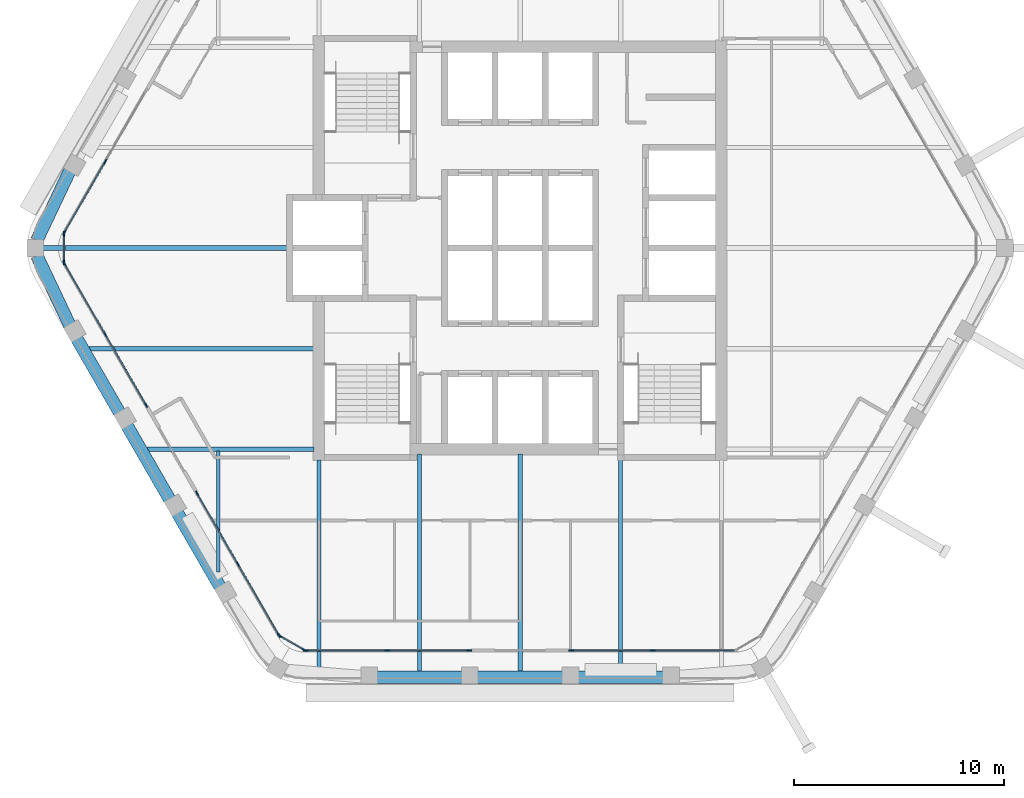
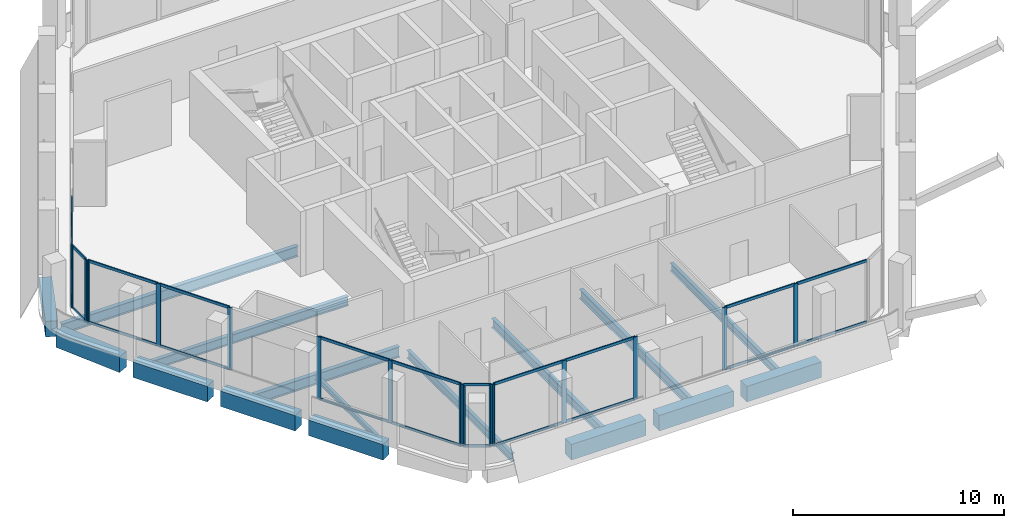
# One storey, part 2 of 14: 39 members, 16 beams, 7 elements without a shape of their own.
"""IFC4 building model written with IfcOpenShell, lengths in metres."""

from ifc_helpers import new_model, si_unit, direction, frame, origin, origin_2d, place, context, subcontext, project, spatial, rectangle, i_section, extrude, material, material_profile, profile_set, type_object, element, aggregate, save


model = new_model("IFC4")

# Units and contexts
model_context = context("Model", 3, precision=1e-05, world=origin(), true_north=direction((0.0, 1.0)))
body_context = subcontext(model_context, "Body", "Model", "MODEL_VIEW")
ifc_project = project(units=[si_unit("LENGTHUNIT", "METRE"), si_unit("AREAUNIT", "SQUARE_METRE"), si_unit("VOLUMEUNIT", "CUBIC_METRE"), si_unit("PLANEANGLEUNIT", "RADIAN"), si_unit("MASSUNIT", "GRAM", prefix="KILO")], contexts=[model_context])

# Site, building, storey
site_placement = place(None, origin())
site = spatial("IfcSite", under=ifc_project, at=site_placement, CompositionType="ELEMENT")
building_placement = place(site_placement, origin())
building = spatial("IfcBuilding", under=site, at=building_placement, Name="Kolab Exchange Tower", CompositionType="ELEMENT")
storey_placement = place(building_placement, frame((0.0, 0.0, 281.300048828125)))
storey = spatial("IfcBuildingStorey", under=building, at=storey_placement, Name="L63", CompositionType="ELEMENT", Elevation=281.300048828125)

# Beams
ifc_material_1 = material(Name="Steel S355", Category="steel")
ifc_material_profile_1 = material_profile(ifc_material_1, i_section(OverallWidth=0.1650390625, OverallDepth=0.31005859375, WebThickness=0.005859375, FlangeThickness=0.009765625, at=origin_2d()), Name="W310X39")
ifc_profile_set_1 = profile_set([ifc_material_profile_1], Name="Steel S355")
beam_type_1 = type_object("IfcBeamType", Name="FLOOR BEAM W310X39", PredefinedType="BEAM", material=ifc_profile_set_1)
beam_1_placement = place(storey_placement, frame((-14.39990234375, -15.4677734375, -0.304931640625), z_axis=(0.0, 1.0, 0.0), x_axis=(-1.0, 0.0, 0.0)))
element("IfcBeam", 1, at=beam_1_placement, inside=storey, type_object=beam_type_1, Name="beam/L63/fr/003", PredefinedType="BEAM", context=body_context, shape_type="SweptSolid", body=[
    extrude(i_section(OverallWidth=0.1650390625, OverallDepth=0.31005859375, WebThickness=0.005859375, FlangeThickness=0.009765625, at=origin_2d()), origin(), (0.0, 0.0, 1.0), 5.793701171875),
])
ifc_material_profile_2 = material_profile(ifc_material_1, i_section(OverallWidth=0.18994140625, OverallDepth=0.45703125, WebThickness=0.009033203125, FlangeThickness=0.014404296875, at=origin_2d()), Name="W460X74")
ifc_profile_set_2 = profile_set([ifc_material_profile_2], Name="Steel S355")
beam_type_2 = type_object("IfcBeamType", Name="FLOOR BEAM W460X74", PredefinedType="BEAM", material=ifc_profile_set_2)
beam_2_placement = place(storey_placement, frame((-9.60009765625, -20.027099609375, -0.378662109375), z_axis=(0.0, 1.0, 0.0), x_axis=(-1.0, 0.0, 0.0)))
element("IfcBeam", 2, at=beam_2_placement, inside=storey, type_object=beam_type_2, Name="beam/L63/fr/005", PredefinedType="BEAM", context=body_context, shape_type="SweptSolid", body=[
    extrude(i_section(OverallWidth=0.18994140625, OverallDepth=0.45703125, WebThickness=0.009033203125, FlangeThickness=0.014404296875, at=origin_2d()), origin(), (0.0, 0.0, 1.0), 9.9169921875),
])
beam_3_placement = place(storey_placement, frame((4.800048828125, -20.224609375, -0.378662109375), z_axis=(0.0, 1.0, 0.0), x_axis=(-1.0, 0.0, 0.0)))
element("IfcBeam", 3, at=beam_3_placement, inside=storey, type_object=beam_type_2, Name="beam/L63/fr/011", PredefinedType="BEAM", context=body_context, shape_type="SweptSolid", body=[
    extrude(i_section(OverallWidth=0.18994140625, OverallDepth=0.45703125, WebThickness=0.009033203125, FlangeThickness=0.014404296875, at=origin_2d()), origin(), (0.0, 0.0, 1.0), 10.114501953125),
])
ifc_material_profile_3 = material_profile(ifc_material_1, i_section(OverallWidth=0.208984375, OverallDepth=0.532958984375, WebThickness=0.01025390625, FlangeThickness=0.015625, at=origin_2d()), Name="W530X92")
ifc_profile_set_3 = profile_set([ifc_material_profile_3], Name="Steel S355")
beam_type_3 = type_object("IfcBeamType", Name="FLOOR BEAM W530X92", PredefinedType="BEAM", material=ifc_profile_set_3)
beam_4_placement = place(storey_placement, frame((-20.575927734375, -4.800048828125, -0.41650390625), z_axis=(1.0, 0.0, 0.0), x_axis=(0.0, 1.0, 0.0)))
element("IfcBeam", 4, at=beam_4_placement, inside=storey, type_object=beam_type_3, Name="beam/L63/fr/001", PredefinedType="BEAM", context=body_context, shape_type="SweptSolid", body=[
    extrude(i_section(OverallWidth=0.208984375, OverallDepth=0.532958984375, WebThickness=0.01025390625, FlangeThickness=0.015625, at=origin_2d()), origin(), (0.0, 0.0, 1.0), 10.740966796875),
])
for number, where, z_axis, x_axis, name in (
    (5, (-4.800048828125, -20.224609375, -0.41650390625), (0.0, 1.0, 0.0), (-1.0, 0.0, 0.0), "beam/L63/fr/007"),
    (6, (0.0, -20.224609375, -0.41650390625), (0.0, 1.0, 0.0), (-1.0, 0.0, 0.0), "beam/L63/fr/009"),
):
    element("IfcBeam", number, at=place(storey_placement, frame(where, z_axis=z_axis, x_axis=x_axis)), inside=storey, type_object=beam_type_3, Name=name, PredefinedType="BEAM", context=body_context, shape_type="SweptSolid", body=[
        extrude(i_section(OverallWidth=0.208984375, OverallDepth=0.532958984375, WebThickness=0.01025390625, FlangeThickness=0.015625, at=origin_2d()), origin(), (0.0, 0.0, 1.0), 10.3896484375),
    ])
ifc_material_profile_4 = material_profile(ifc_material_1, i_section(OverallWidth=0.22802734375, OverallDepth=0.60791015625, WebThickness=0.01123046875, FlangeThickness=0.017333984375, at=origin_2d()), Name="W610X113")
ifc_profile_set_4 = profile_set([ifc_material_profile_4], Name="Steel S355")
beam_type_4 = type_object("IfcBeamType", Name="FLOOR BEAM W610X113", PredefinedType="BEAM", material=ifc_profile_set_4)
beam_5_placement = place(storey_placement, frame((-22.77587890625, 0.0, -0.4541015625), z_axis=(1.0, 0.0, 0.0), x_axis=(0.0, 1.0, 0.0)))
element("IfcBeam", 7, at=beam_5_placement, inside=storey, type_object=beam_type_4, Name="beam/L63/fr/000", PredefinedType="BEAM", context=body_context, shape_type="SweptSolid", body=[
    extrude(i_section(OverallWidth=0.22802734375, OverallDepth=0.60791015625, WebThickness=0.01123046875, FlangeThickness=0.017333984375, at=origin_2d()), origin(), (0.0, 0.0, 1.0), 12.94091796875),
])
ifc_material_profile_5 = material_profile(ifc_material_1, i_section(OverallWidth=0.22802734375, OverallDepth=0.60791015625, WebThickness=0.01123046875, FlangeThickness=0.017333984375, at=origin_2d()), Name="W610X113")
ifc_profile_set_5 = profile_set([ifc_material_profile_5], Name="Steel S355")
beam_type_5 = type_object("IfcBeamType", Name="FLOOR GIRDER W610X113", PredefinedType="BEAM", material=ifc_profile_set_5)
beam_6_placement = place(storey_placement, frame((-17.8046875, -9.60009765625, -0.4541015625), z_axis=(1.0, 0.0, 0.0), x_axis=(0.0, 1.0, 0.0)))
element("IfcBeam", 8, at=beam_6_placement, inside=storey, type_object=beam_type_5, Name="beam/L63/gd/000", PredefinedType="BEAM", context=body_context, shape_type="SweptSolid", body=[
    extrude(i_section(OverallWidth=0.22802734375, OverallDepth=0.60791015625, WebThickness=0.01123046875, FlangeThickness=0.017333984375, at=origin_2d()), origin(), (0.0, 0.0, 1.0), 7.9697265625),
])
ifc_material_2 = material(Name="Concrete C50/60", Category="concrete")
ifc_material_profile_6 = material_profile(ifc_material_2, rectangle(XDim=0.60009765625, YDim=0.89990234375, at=origin_2d()), Name="RC600X900")
ifc_profile_set_6 = profile_set([ifc_material_profile_6], Name="Concrete C50/60")
beam_type_6 = type_object("IfcBeamType", Name="SPANDREL BEAM 600X900 C50/60", PredefinedType="BEAM", material=ifc_profile_set_6)
for number, where, z_axis, x_axis, name in (
    (9, (6.840087890625, -20.484619140625, -0.60009765625), (-1.0, 0.0, 0.0), (0.0, -1.0, 0.0), "beam/L63/sp/F4-02"),
    (10, (2.0400390625, -20.484619140625, -0.60009765625), (-1.0, 0.0, 0.0), (0.0, -1.0, 0.0), "beam/L63/sp/F4-03"),
    (11, (-2.760009765625, -20.484619140625, -0.60009765625), (-1.0, 0.0, 0.0), (0.0, -1.0, 0.0), "beam/L63/sp/F4-04"),
):
    element("IfcBeam", number, at=place(storey_placement, frame(where, z_axis=z_axis, x_axis=x_axis)), inside=storey, type_object=beam_type_6, Name=name, PredefinedType="BEAM", context=body_context, shape_type="SweptSolid", body=[
        extrude(rectangle(XDim=0.60009765625, YDim=0.89990234375, at=origin_2d()), origin(), (0.0, 0.0, 1.0), 4.080078125),
    ])
beam_7_placement = place(storey_placement, frame((-14.3203125, -16.166015625, -0.60009765625), z_axis=(-0.499955548806, 0.866051066172, 0.0), x_axis=(-0.866051066172, -0.499955548806, 0.0)))
element("IfcBeam", 12, at=beam_7_placement, inside=storey, type_object=beam_type_6, Name="beam/L63/sp/F5-02", PredefinedType="BEAM", context=body_context, shape_type="SweptSolid", body=[
    extrude(rectangle(XDim=0.60009765625, YDim=0.89990234375, at=origin_2d()), origin(), (0.0, 0.0, 1.0), 4.079833984375),
])
for number, where, z_axis, x_axis, name in (
    (13, (-16.72021484375, -12.009033203125, -0.60009765625), (-0.500000428765, 0.866025156237, 0.0), (-0.866025156237, -0.500000428765, 0.0), "beam/L63/sp/F5-03"),
    (14, (-19.1201171875, -7.85205078125, -0.60009765625), (-0.500000428765, 0.866025156237, 0.0), (-0.866025156237, -0.500000428765, 0.0), "beam/L63/sp/F5-04"),
):
    element("IfcBeam", number, at=place(storey_placement, frame(where, z_axis=z_axis, x_axis=x_axis)), inside=storey, type_object=beam_type_6, Name=name, PredefinedType="BEAM", context=body_context, shape_type="SweptSolid", body=[
        extrude(rectangle(XDim=0.60009765625, YDim=0.89990234375, at=origin_2d()), origin(), (0.0, 0.0, 1.0), 4.080078125),
    ])
for number, where, z_axis, x_axis, name in (
    (15, (-21.49462890625, -3.68017578125, -0.60009765625), (-0.427677251998, 0.903931506323, 0.0), (-0.903931506323, -0.427677251998, 0.0), "beam/L63/sp/F5-05"),
    (16, (-23.063720703125, 0.36376953125, -0.60009765625), (0.427677251998, 0.903931506323, 0.0), (-0.903931506323, 0.427677251998, 0.0), "beam/L63/sp/F6-01"),
):
    element("IfcBeam", number, at=place(storey_placement, frame(where, z_axis=z_axis, x_axis=x_axis)), inside=storey, type_object=beam_type_6, Name=name, PredefinedType="BEAM", context=body_context, shape_type="SweptSolid", body=[
        extrude(rectangle(XDim=0.60009765625, YDim=0.89990234375, at=origin_2d()), origin(), (0.0, 0.0, 1.0), 3.6689453125),
    ])

# Curtain wall, members
ifc_material_3 = material(Name="Aluminium EN AW-6063 T6", Category="aluminium")
curtain_wall_type = type_object("IfcCurtainWallType", Name="UNITISED HIGH ZONE CURTAIN WALL", PredefinedType="NOTDEFINED", material=ifc_material_3)
curtain_wall_1_placement = place(storey_placement, origin())
curtain_wall_1 = element("IfcCurtainWall", 17, at=curtain_wall_1_placement, inside=storey, type_object=curtain_wall_type, Name="cw/L63/F4-1", PredefinedType="NOTDEFINED")
ifc_material_profile_7 = material_profile(ifc_material_3, rectangle(XDim=0.06005859375, YDim=0.239990234375, at=origin_2d()), Name="RECT 60X240")
ifc_profile_set_7 = profile_set([ifc_material_profile_7], Name="Aluminium EN AW-6063 T6")
member_type_1 = type_object("IfcMemberType", Name="UNITISED HIGH ZONE MULLION 60 X 240", PredefinedType="MULLION", material=ifc_profile_set_7)
member_1_placement = place(storey_placement, frame((6.333984375, -19.20458984375, 0.0), z_axis=(0.0, 0.0, 1.0), x_axis=(0.0, -1.0, 0.0)))
member_1 = element("IfcMember", 18, at=member_1_placement, type_object=member_type_1, Name="CW4 mullion 2", PredefinedType="MULLION", context=body_context, shape_type="SweptSolid", body=[
    extrude(rectangle(XDim=0.06005859375, YDim=0.239990234375, at=origin_2d()), origin(), (0.0, 0.0, 1.0), 3.599853515625),
])
member_2_placement = place(storey_placement, frame((2.429931640625, -19.20458984375, 0.0), z_axis=(0.0, 0.0, 1.0), x_axis=(0.0, -1.0, 0.0)))
member_2 = element("IfcMember", 19, at=member_2_placement, type_object=member_type_1, Name="CW4 mullion 3", PredefinedType="MULLION", context=body_context, shape_type="SweptSolid", body=[
    extrude(rectangle(XDim=0.06005859375, YDim=0.239990234375, at=origin_2d()), origin(), (0.0, 0.0, 1.0), 3.599853515625),
])

curtain_wall_2_placement = place(storey_placement, origin())
curtain_wall_2 = element("IfcCurtainWall", 20, at=curtain_wall_2_placement, inside=storey, type_object=curtain_wall_type, Name="cw/L63/F4-2", PredefinedType="NOTDEFINED")
member_3_placement = place(storey_placement, frame((-2.429931640625, -19.20458984375, 0.0), z_axis=(0.0, 0.0, 1.0), x_axis=(0.0, -1.0, 0.0)))
member_3 = element("IfcMember", 21, at=member_3_placement, type_object=member_type_1, Name="CW4 mullion 1", PredefinedType="MULLION", context=body_context, shape_type="SweptSolid", body=[
    extrude(rectangle(XDim=0.06005859375, YDim=0.239990234375, at=origin_2d()), origin(), (0.0, 0.0, 1.0), 3.599853515625),
])
member_4_placement = place(storey_placement, frame((-6.333984375, -19.20458984375, 0.0), z_axis=(0.0, 0.0, 1.0), x_axis=(0.0, -1.0, 0.0)))
member_4 = element("IfcMember", 22, at=member_4_placement, type_object=member_type_1, Name="CW4 mullion 2", PredefinedType="MULLION", context=body_context, shape_type="SweptSolid", body=[
    extrude(rectangle(XDim=0.06005859375, YDim=0.239990234375, at=origin_2d()), origin(), (0.0, 0.0, 1.0), 3.599853515625),
])
member_5_placement = place(storey_placement, frame((-10.238037109375, -19.20458984375, 0.0), z_axis=(0.0, 0.0, 1.0), x_axis=(0.0, -1.0, 0.0)))
member_5 = element("IfcMember", 23, at=member_5_placement, type_object=member_type_1, Name="CW4 mullion 3", PredefinedType="MULLION", context=body_context, shape_type="SweptSolid", body=[
    extrude(rectangle(XDim=0.06005859375, YDim=0.239990234375, at=origin_2d()), origin(), (0.0, 0.0, 1.0), 3.599853515625),
])

curtain_wall_3_placement = place(storey_placement, origin())
curtain_wall_3 = element("IfcCurtainWall", 24, at=curtain_wall_3_placement, inside=storey, type_object=curtain_wall_type, Name="cw/L63/F5-1", PredefinedType="NOTDEFINED")
member_6_placement = place(storey_placement, frame((-11.5126953125, -18.46875, 0.0), z_axis=(0.0, 0.0, 1.0), x_axis=(-0.866025385493, -0.500000031681, 0.0)))
member_6 = element("IfcMember", 25, at=member_6_placement, type_object=member_type_1, Name="CW4 mullion 1", PredefinedType="MULLION", context=body_context, shape_type="SweptSolid", body=[
    extrude(rectangle(XDim=0.06005859375, YDim=0.239990234375, at=origin_2d()), origin(), (0.0, 0.0, 1.0), 3.599853515625),
])
member_7_placement = place(storey_placement, frame((-13.464599609375, -15.087646484375, 0.0), z_axis=(0.0, 0.0, 1.0), x_axis=(-0.866025385493, -0.500000031681, 0.0)))
member_7 = element("IfcMember", 26, at=member_7_placement, type_object=member_type_1, Name="CW4 mullion 2", PredefinedType="MULLION", context=body_context, shape_type="SweptSolid", body=[
    extrude(rectangle(XDim=0.06005859375, YDim=0.239990234375, at=origin_2d()), origin(), (0.0, 0.0, 1.0), 3.599853515625),
])
member_8_placement = place(storey_placement, frame((-15.416748046875, -11.706787109375, 0.0), z_axis=(0.0, 0.0, 1.0), x_axis=(-0.866025385493, -0.500000031681, 0.0)))
member_8 = element("IfcMember", 27, at=member_8_placement, type_object=member_type_1, Name="CW4 mullion 3", PredefinedType="MULLION", context=body_context, shape_type="SweptSolid", body=[
    extrude(rectangle(XDim=0.06005859375, YDim=0.239990234375, at=origin_2d()), origin(), (0.0, 0.0, 1.0), 3.599853515625),
])

curtain_wall_4_placement = place(storey_placement, origin())
curtain_wall_4 = element("IfcCurtainWall", 28, at=curtain_wall_4_placement, inside=storey, type_object=curtain_wall_type, Name="cw/L63/F5-2", PredefinedType="NOTDEFINED")
member_9_placement = place(storey_placement, frame((-17.8466796875, -7.497802734375, 0.0), z_axis=(0.0, 0.0, 1.0), x_axis=(-0.866025440524, -0.499999936366, 0.0)))
member_9 = element("IfcMember", 29, at=member_9_placement, type_object=member_type_1, Name="CW4 mullion 1", PredefinedType="MULLION", context=body_context, shape_type="SweptSolid", body=[
    extrude(rectangle(XDim=0.06005859375, YDim=0.239990234375, at=origin_2d()), origin(), (0.0, 0.0, 1.0), 3.599853515625),
])
member_10_placement = place(storey_placement, frame((-19.798583984375, -4.116943359375, 0.0), z_axis=(0.0, 0.0, 1.0), x_axis=(-0.866025440524, -0.499999936366, 0.0)))
member_10 = element("IfcMember", 30, at=member_10_placement, type_object=member_type_1, Name="CW4 mullion 2", PredefinedType="MULLION", context=body_context, shape_type="SweptSolid", body=[
    extrude(rectangle(XDim=0.06005859375, YDim=0.239990234375, at=origin_2d()), origin(), (0.0, 0.0, 1.0), 3.599853515625),
])
member_11_placement = place(storey_placement, frame((-21.750732421875, -0.736083984375, 0.0), z_axis=(0.0, 0.0, 1.0), x_axis=(-0.866025440524, -0.499999936366, 0.0)))
member_11 = element("IfcMember", 31, at=member_11_placement, type_object=member_type_1, Name="CW4 mullion 3", PredefinedType="MULLION", context=body_context, shape_type="SweptSolid", body=[
    extrude(rectangle(XDim=0.06005859375, YDim=0.239990234375, at=origin_2d()), origin(), (0.0, 0.0, 1.0), 3.599853515625),
])

curtain_wall_5_placement = place(storey_placement, origin())
curtain_wall_5 = element("IfcCurtainWall", 32, at=curtain_wall_5_placement, inside=storey, type_object=curtain_wall_type, Name="cw/L63/F6-1", PredefinedType="NOTDEFINED")
member_12_placement = place(storey_placement, frame((-21.750732421875, 0.736083984375, 0.0), z_axis=(0.0, 0.0, 1.0), x_axis=(-0.866025440524, 0.499999936366, 0.0)))
member_12 = element("IfcMember", 33, at=member_12_placement, type_object=member_type_1, Name="CW4 mullion 1", PredefinedType="MULLION", context=body_context, shape_type="SweptSolid", body=[
    extrude(rectangle(XDim=0.06005859375, YDim=0.239990234375, at=origin_2d()), origin(), (0.0, 0.0, 1.0), 3.599853515625),
])
member_13_placement = place(storey_placement, frame((-19.798583984375, 4.116943359375, 0.0), z_axis=(0.0, 0.0, 1.0), x_axis=(-0.866025440524, 0.499999936366, 0.0)))
member_13 = element("IfcMember", 34, at=member_13_placement, type_object=member_type_1, Name="CW4 mullion 2", PredefinedType="MULLION", context=body_context, shape_type="SweptSolid", body=[
    extrude(rectangle(XDim=0.06005859375, YDim=0.239990234375, at=origin_2d()), origin(), (0.0, 0.0, 1.0), 3.599853515625),
])

curtain_wall_6_placement = place(storey_placement, origin())
curtain_wall_6 = element("IfcCurtainWall", 35, at=curtain_wall_6_placement, inside=storey, type_object=curtain_wall_type, Name="cw/L63/F4F5-corner", PredefinedType="NOTDEFINED")
member_14_placement = place(storey_placement, frame((-10.2939453125, -19.189697265625, 0.0), z_axis=(0.0, 0.0, 1.0), x_axis=(-0.50000002237, -0.866025390869, 0.0)))
member_14 = element("IfcMember", 36, at=member_14_placement, type_object=member_type_1, Name="CW4 mullion 1", PredefinedType="MULLION", context=body_context, shape_type="SweptSolid", body=[
    extrude(rectangle(XDim=0.06005859375, YDim=0.239990234375, at=origin_2d()), origin(), (0.0, 0.0, 1.0), 3.599853515625),
])
member_15_placement = place(storey_placement, frame((-11.4716796875, -18.509521484375, 0.0), z_axis=(0.0, 0.0, 1.0), x_axis=(-0.50000002237, -0.866025390869, 0.0)))
member_15 = element("IfcMember", 37, at=member_15_placement, type_object=member_type_1, Name="CW4 mullion 2", PredefinedType="MULLION", context=body_context, shape_type="SweptSolid", body=[
    extrude(rectangle(XDim=0.06005859375, YDim=0.239990234375, at=origin_2d()), origin(), (0.0, 0.0, 1.0), 3.599853515625),
])

curtain_wall_7_placement = place(storey_placement, origin())
curtain_wall_7 = element("IfcCurtainWall", 38, at=curtain_wall_7_placement, inside=storey, type_object=curtain_wall_type, Name="cw/L63/F5F6-corner", PredefinedType="NOTDEFINED")
member_16_placement = place(storey_placement, frame((-21.765625, -0.679931640625, 0.0), z_axis=(0.0, 0.0, 1.0), x_axis=(-1.0, 0.0, 0.0)))
member_16 = element("IfcMember", 39, at=member_16_placement, type_object=member_type_1, Name="CW4 mullion 1", PredefinedType="MULLION", context=body_context, shape_type="SweptSolid", body=[
    extrude(rectangle(XDim=0.06005859375, YDim=0.239990234375, at=origin_2d()), origin(), (0.0, 0.0, 1.0), 3.599853515625),
])
member_17_placement = place(storey_placement, frame((-21.765625, 0.679931640625, 0.0), z_axis=(0.0, 0.0, 1.0), x_axis=(-1.0, 0.0, 0.0)))
member_17 = element("IfcMember", 40, at=member_17_placement, type_object=member_type_1, Name="CW4 mullion 2", PredefinedType="MULLION", context=body_context, shape_type="SweptSolid", body=[
    extrude(rectangle(XDim=0.06005859375, YDim=0.239990234375, at=origin_2d()), origin(), (0.0, 0.0, 1.0), 3.599853515625),
])

# Member
ifc_material_profile_8 = material_profile(ifc_material_3, rectangle(XDim=0.06005859375, YDim=0.159912109375, at=origin_2d()), Name="RECT 60X160")
ifc_profile_set_8 = profile_set([ifc_material_profile_8], Name="Aluminium EN AW-6063 T6")
member_type_2 = type_object("IfcMemberType", Name="UNITISED HIGH ZONE TRANSOM 60 X 160", PredefinedType="USERDEFINED", material=ifc_profile_set_8)
member_18_placement = place(storey_placement, frame((10.2080078125, -19.20458984375, 0.030029296875), z_axis=(-1.0, 0.0, 0.0), x_axis=(0.0, -1.0, 0.0)))
member_18 = element("IfcMember", 41, at=member_18_placement, type_object=member_type_2, Name="CW4 transom 1.1", ObjectType="TRANSOM", PredefinedType="USERDEFINED", context=body_context, shape_type="SweptSolid", body=[
    extrude(rectangle(XDim=0.06005859375, YDim=0.159912109375, at=origin_2d()), origin(), (0.0, 0.0, 1.0), 3.843994140625),
])

member_19_placement = place(storey_placement, frame((10.2080078125, -19.20458984375, 3.570068359375), z_axis=(-1.0, 0.0, 0.0), x_axis=(0.0, -1.0, 0.0)))
member_19 = element("IfcMember", 42, at=member_19_placement, type_object=member_type_2, Name="CW4 transom 1.2", ObjectType="TRANSOM", PredefinedType="USERDEFINED", context=body_context, shape_type="SweptSolid", body=[
    extrude(rectangle(XDim=0.06005859375, YDim=0.159912109375, at=origin_2d()), origin(), (0.0, 0.0, 1.0), 3.843994140625),
])

member_20_placement = place(storey_placement, frame((6.303955078125, -19.20458984375, 0.030029296875), z_axis=(-1.0, 0.0, 0.0), x_axis=(0.0, -1.0, 0.0)))
member_20 = element("IfcMember", 43, at=member_20_placement, type_object=member_type_2, Name="CW4 transom 2.1", ObjectType="TRANSOM", PredefinedType="USERDEFINED", context=body_context, shape_type="SweptSolid", body=[
    extrude(rectangle(XDim=0.06005859375, YDim=0.159912109375, at=origin_2d()), origin(), (0.0, 0.0, 1.0), 3.843994140625),
])

member_21_placement = place(storey_placement, frame((6.303955078125, -19.20458984375, 3.570068359375), z_axis=(-1.0, 0.0, 0.0), x_axis=(0.0, -1.0, 0.0)))
member_21 = element("IfcMember", 44, at=member_21_placement, type_object=member_type_2, Name="CW4 transom 2.2", ObjectType="TRANSOM", PredefinedType="USERDEFINED", context=body_context, shape_type="SweptSolid", body=[
    extrude(rectangle(XDim=0.06005859375, YDim=0.159912109375, at=origin_2d()), origin(), (0.0, 0.0, 1.0), 3.843994140625),
])

aggregate(curtain_wall_1, [member_1, member_2, member_18, member_19, member_20, member_21])

member_22_placement = place(storey_placement, frame((-2.4599609375, -19.20458984375, 0.030029296875), z_axis=(-1.0, 0.0, 0.0), x_axis=(0.0, -1.0, 0.0)))
member_22 = element("IfcMember", 45, at=member_22_placement, type_object=member_type_2, Name="CW4 transom 1.1", ObjectType="TRANSOM", PredefinedType="USERDEFINED", context=body_context, shape_type="SweptSolid", body=[
    extrude(rectangle(XDim=0.06005859375, YDim=0.159912109375, at=origin_2d()), origin(), (0.0, 0.0, 1.0), 3.843994140625),
])

member_23_placement = place(storey_placement, frame((-2.4599609375, -19.20458984375, 3.570068359375), z_axis=(-1.0, 0.0, 0.0), x_axis=(0.0, -1.0, 0.0)))
member_23 = element("IfcMember", 46, at=member_23_placement, type_object=member_type_2, Name="CW4 transom 1.2", ObjectType="TRANSOM", PredefinedType="USERDEFINED", context=body_context, shape_type="SweptSolid", body=[
    extrude(rectangle(XDim=0.06005859375, YDim=0.159912109375, at=origin_2d()), origin(), (0.0, 0.0, 1.0), 3.843994140625),
])

member_24_placement = place(storey_placement, frame((-6.364013671875, -19.20458984375, 0.030029296875), z_axis=(-1.0, 0.0, 0.0), x_axis=(0.0, -1.0, 0.0)))
member_24 = element("IfcMember", 47, at=member_24_placement, type_object=member_type_2, Name="CW4 transom 2.1", ObjectType="TRANSOM", PredefinedType="USERDEFINED", context=body_context, shape_type="SweptSolid", body=[
    extrude(rectangle(XDim=0.06005859375, YDim=0.159912109375, at=origin_2d()), origin(), (0.0, 0.0, 1.0), 3.843994140625),
])

member_25_placement = place(storey_placement, frame((-6.364013671875, -19.20458984375, 3.570068359375), z_axis=(-1.0, 0.0, 0.0), x_axis=(0.0, -1.0, 0.0)))
member_25 = element("IfcMember", 48, at=member_25_placement, type_object=member_type_2, Name="CW4 transom 2.2", ObjectType="TRANSOM", PredefinedType="USERDEFINED", context=body_context, shape_type="SweptSolid", body=[
    extrude(rectangle(XDim=0.06005859375, YDim=0.159912109375, at=origin_2d()), origin(), (0.0, 0.0, 1.0), 3.843994140625),
])

aggregate(curtain_wall_2, [member_3, member_4, member_5, member_22, member_23, member_24, member_25])

member_26_placement = place(storey_placement, frame((-11.527587890625, -18.442626953125, 0.030029296875), z_axis=(-0.500039492609, 0.866002601515, 0.0), x_axis=(-0.866002601515, -0.500039492609, 0.0)))
member_26 = element("IfcMember", 49, at=member_26_placement, type_object=member_type_2, Name="CW4 transom 1.1", ObjectType="TRANSOM", PredefinedType="USERDEFINED", context=body_context, shape_type="SweptSolid", body=[
    extrude(rectangle(XDim=0.06005859375, YDim=0.159912109375, at=origin_2d()), origin(), (0.0, 0.0, 1.0), 3.843994140625),
])

member_27_placement = place(storey_placement, frame((-11.527587890625, -18.442626953125, 3.570068359375), z_axis=(-0.500039492609, 0.866002601515, 0.0), x_axis=(-0.866002601515, -0.500039492609, 0.0)))
member_27 = element("IfcMember", 50, at=member_27_placement, type_object=member_type_2, Name="CW4 transom 1.2", ObjectType="TRANSOM", PredefinedType="USERDEFINED", context=body_context, shape_type="SweptSolid", body=[
    extrude(rectangle(XDim=0.06005859375, YDim=0.159912109375, at=origin_2d()), origin(), (0.0, 0.0, 1.0), 3.843994140625),
])

member_28_placement = place(storey_placement, frame((-13.479736328125, -15.061767578125, 0.030029296875), z_axis=(-0.499964356602, 0.866045981532, 0.0), x_axis=(-0.866045981532, -0.499964356602, 0.0)))
member_28 = element("IfcMember", 51, at=member_28_placement, type_object=member_type_2, Name="CW4 transom 2.1", ObjectType="TRANSOM", PredefinedType="USERDEFINED", context=body_context, shape_type="SweptSolid", body=[
    extrude(rectangle(XDim=0.06005859375, YDim=0.159912109375, at=origin_2d()), origin(), (0.0, 0.0, 1.0), 3.843994140625),
])

member_29_placement = place(storey_placement, frame((-13.479736328125, -15.061767578125, 3.570068359375), z_axis=(-0.499964356602, 0.866045981532, 0.0), x_axis=(-0.866045981532, -0.499964356602, 0.0)))
member_29 = element("IfcMember", 52, at=member_29_placement, type_object=member_type_2, Name="CW4 transom 2.2", ObjectType="TRANSOM", PredefinedType="USERDEFINED", context=body_context, shape_type="SweptSolid", body=[
    extrude(rectangle(XDim=0.06005859375, YDim=0.159912109375, at=origin_2d()), origin(), (0.0, 0.0, 1.0), 3.843994140625),
])

aggregate(curtain_wall_3, [member_6, member_7, member_8, member_26, member_27, member_28, member_29])

member_30_placement = place(storey_placement, frame((-17.861572265625, -7.471923828125, 0.030029296875), z_axis=(-0.500011990396, 0.866018481016, 0.0), x_axis=(-0.866018481016, -0.500011990396, 0.0)))
member_30 = element("IfcMember", 53, at=member_30_placement, type_object=member_type_2, Name="CW4 transom 1.1", ObjectType="TRANSOM", PredefinedType="USERDEFINED", context=body_context, shape_type="SweptSolid", body=[
    extrude(rectangle(XDim=0.06005859375, YDim=0.159912109375, at=origin_2d()), origin(), (0.0, 0.0, 1.0), 3.84423828125),
])

member_31_placement = place(storey_placement, frame((-17.861572265625, -7.471923828125, 3.570068359375), z_axis=(-0.500011990396, 0.866018481016, 0.0), x_axis=(-0.866018481016, -0.500011990396, 0.0)))
member_31 = element("IfcMember", 54, at=member_31_placement, type_object=member_type_2, Name="CW4 transom 1.2", ObjectType="TRANSOM", PredefinedType="USERDEFINED", context=body_context, shape_type="SweptSolid", body=[
    extrude(rectangle(XDim=0.06005859375, YDim=0.159912109375, at=origin_2d()), origin(), (0.0, 0.0, 1.0), 3.84423828125),
])

member_32_placement = place(storey_placement, frame((-19.813720703125, -4.0908203125, 0.030029296875), z_axis=(-0.499991857942, 0.866030104553, 0.0), x_axis=(-0.866030104553, -0.499991857942, 0.0)))
member_32 = element("IfcMember", 55, at=member_32_placement, type_object=member_type_2, Name="CW4 transom 2.1", ObjectType="TRANSOM", PredefinedType="USERDEFINED", context=body_context, shape_type="SweptSolid", body=[
    extrude(rectangle(XDim=0.06005859375, YDim=0.159912109375, at=origin_2d()), origin(), (0.0, 0.0, 1.0), 3.84375),
])

member_33_placement = place(storey_placement, frame((-19.813720703125, -4.0908203125, 3.570068359375), z_axis=(-0.499991857942, 0.866030104553, 0.0), x_axis=(-0.866030104553, -0.499991857942, 0.0)))
member_33 = element("IfcMember", 56, at=member_33_placement, type_object=member_type_2, Name="CW4 transom 2.2", ObjectType="TRANSOM", PredefinedType="USERDEFINED", context=body_context, shape_type="SweptSolid", body=[
    extrude(rectangle(XDim=0.06005859375, YDim=0.159912109375, at=origin_2d()), origin(), (0.0, 0.0, 1.0), 3.84375),
])

aggregate(curtain_wall_4, [member_9, member_10, member_11, member_30, member_31, member_32, member_33])

member_34_placement = place(storey_placement, frame((-21.735595703125, 0.761962890625, 0.030029296875), z_axis=(0.499991857942, 0.866030104553, 0.0), x_axis=(-0.866030104553, 0.499991857942, 0.0)))
member_34 = element("IfcMember", 57, at=member_34_placement, type_object=member_type_2, Name="CW4 transom 1.1", ObjectType="TRANSOM", PredefinedType="USERDEFINED", context=body_context, shape_type="SweptSolid", body=[
    extrude(rectangle(XDim=0.06005859375, YDim=0.159912109375, at=origin_2d()), origin(), (0.0, 0.0, 1.0), 3.84375),
])

member_35_placement = place(storey_placement, frame((-21.735595703125, 0.761962890625, 3.570068359375), z_axis=(0.499991857942, 0.866030104553, 0.0), x_axis=(-0.866030104553, 0.499991857942, 0.0)))
member_35 = element("IfcMember", 58, at=member_35_placement, type_object=member_type_2, Name="CW4 transom 1.2", ObjectType="TRANSOM", PredefinedType="USERDEFINED", context=body_context, shape_type="SweptSolid", body=[
    extrude(rectangle(XDim=0.06005859375, YDim=0.159912109375, at=origin_2d()), origin(), (0.0, 0.0, 1.0), 3.84375),
])

aggregate(curtain_wall_5, [member_12, member_13, member_34, member_35])

member_36_placement = place(storey_placement, frame((-10.31982421875, -19.174560546875, 0.030029296875), z_axis=(-0.866085525409, 0.49989585183, 0.0), x_axis=(-0.49989585183, -0.866085525409, 0.0)))
member_36 = element("IfcMember", 59, at=member_36_placement, type_object=member_type_2, Name="CW4 transom 1.1", ObjectType="TRANSOM", PredefinedType="USERDEFINED", context=body_context, shape_type="SweptSolid", body=[
    extrude(rectangle(XDim=0.06005859375, YDim=0.159912109375, at=origin_2d()), origin(), (0.0, 0.0, 1.0), 1.300048828125),
])

member_37_placement = place(storey_placement, frame((-10.31982421875, -19.174560546875, 3.570068359375), z_axis=(-0.866085525409, 0.49989585183, 0.0), x_axis=(-0.49989585183, -0.866085525409, 0.0)))
member_37 = element("IfcMember", 60, at=member_37_placement, type_object=member_type_2, Name="CW4 transom 1.2", ObjectType="TRANSOM", PredefinedType="USERDEFINED", context=body_context, shape_type="SweptSolid", body=[
    extrude(rectangle(XDim=0.06005859375, YDim=0.159912109375, at=origin_2d()), origin(), (0.0, 0.0, 1.0), 1.300048828125),
])

aggregate(curtain_wall_6, [member_14, member_15, member_36, member_37])

member_38_placement = place(storey_placement, frame((-21.765625, -0.64990234375, 0.030029296875), z_axis=(0.0, 1.0, 0.0), x_axis=(-1.0, 0.0, 0.0)))
member_38 = element("IfcMember", 61, at=member_38_placement, type_object=member_type_2, Name="CW4 transom 1.1", ObjectType="TRANSOM", PredefinedType="USERDEFINED", context=body_context, shape_type="SweptSolid", body=[
    extrude(rectangle(XDim=0.06005859375, YDim=0.159912109375, at=origin_2d()), origin(), (0.0, 0.0, 1.0), 1.2998046875),
])

member_39_placement = place(storey_placement, frame((-21.765625, -0.64990234375, 3.570068359375), z_axis=(0.0, 1.0, 0.0), x_axis=(-1.0, 0.0, 0.0)))
member_39 = element("IfcMember", 62, at=member_39_placement, type_object=member_type_2, Name="CW4 transom 1.2", ObjectType="TRANSOM", PredefinedType="USERDEFINED", context=body_context, shape_type="SweptSolid", body=[
    extrude(rectangle(XDim=0.06005859375, YDim=0.159912109375, at=origin_2d()), origin(), (0.0, 0.0, 1.0), 1.2998046875),
])

aggregate(curtain_wall_7, [member_16, member_17, member_38, member_39])

save(model, "model.ifc")
